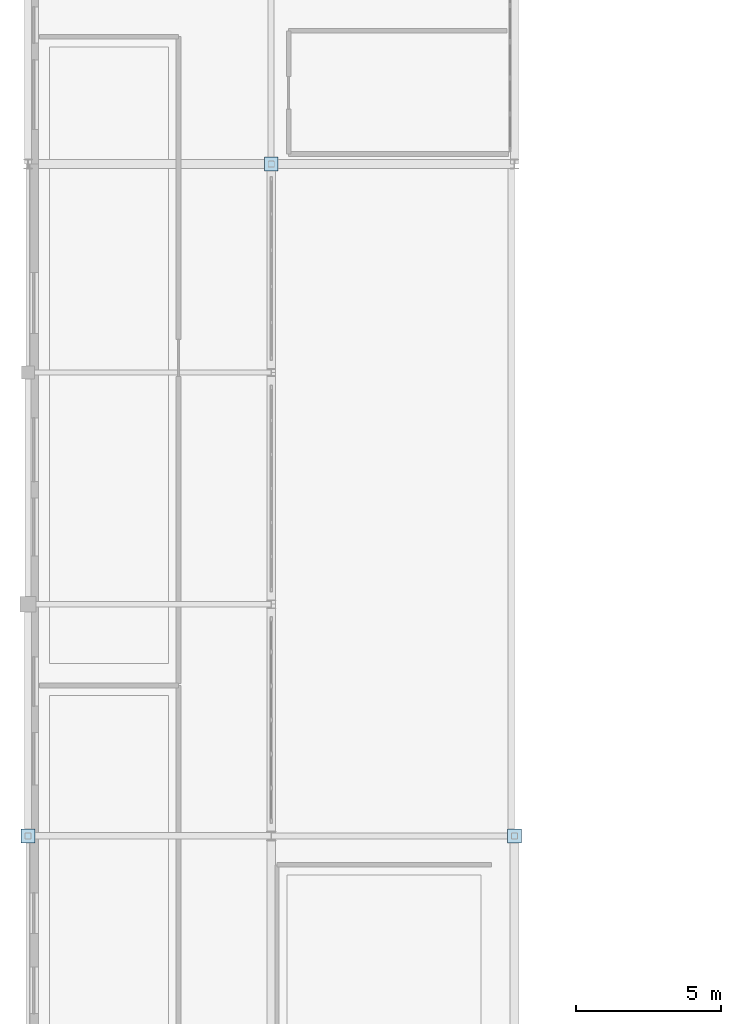
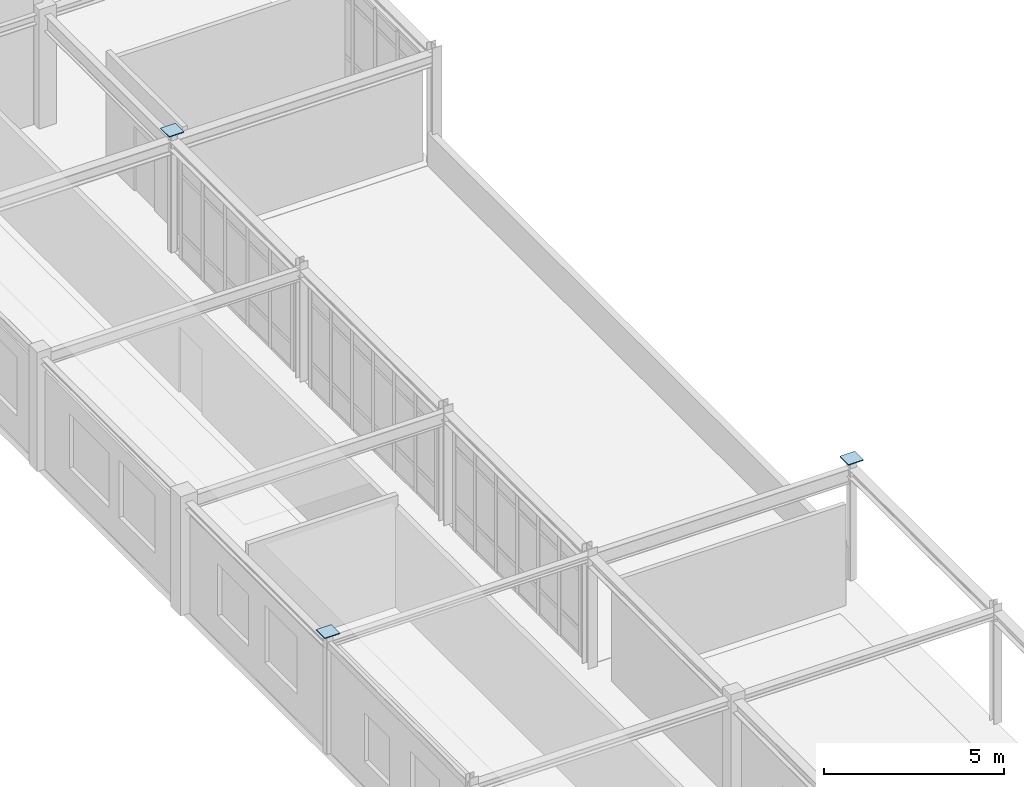
# One storey, part 37 of 58: 3 plates.
"""IFC4 building model written with IfcOpenShell, lengths in metres."""

from ifc_helpers import new_model, si_unit, derived_unit, direction, frame, origin, origin_2d, place, context, subcontext, project, spatial, rectangle, extrude, material, layer, layer_set, type_object, element, save


model = new_model("IFC4")

# Units and contexts
model_context = context("Model", 3, precision=1e-05, world=origin(), true_north=direction((0.0, 1.0)))
body_context = subcontext(model_context, "Body", "Model", "MODEL_VIEW")
ifc_project = project(units=[si_unit("LENGTHUNIT", "METRE"), si_unit("AREAUNIT", "SQUARE_METRE"), si_unit("VOLUMEUNIT", "CUBIC_METRE"), si_unit("PLANEANGLEUNIT", "RADIAN"), si_unit("MASSUNIT", "GRAM", prefix="KILO"), derived_unit("THERMALTRANSMITTANCEUNIT", [(si_unit("POWERUNIT", "WATT"), 1), (si_unit("AREAUNIT", "SQUARE_METRE"), -1), (si_unit("THERMODYNAMICTEMPERATUREUNIT", "KELVIN"), -1)])], contexts=[model_context])

# Site, building, storey
site_placement = place(None, origin())
site = spatial("IfcSite", under=ifc_project, at=site_placement, CompositionType="ELEMENT")
building_placement = place(site_placement, origin())
building = spatial("IfcBuilding", under=site, at=building_placement, Name="Yasenodar Specialist Clinic", CompositionType="ELEMENT")
storey_placement = place(building_placement, frame((0.0, 0.0, 21.300048828125)))
storey = spatial("IfcBuildingStorey", under=building, at=storey_placement, Name="L05", CompositionType="ELEMENT", Elevation=21.300048828125)

# Plates
ifc_material = material(Name="Steel S355", Category="steel")
ifc_layer = layer(ifc_material, 0.028076171875)
ifc_layer_set = layer_set([ifc_layer], Name="Steel S355")
plate_type = type_object("IfcPlateType", Name="PL-STEEL-06", PredefinedType="USERDEFINED", material=ifc_layer_set)
for number, where, z_axis, x_axis, name in (
    (1, (0.0, 66.800048828125, 4.0498046875), (0.0, 0.0, 1.0), (1.0, 0.0, 0.0), "L05 Hollow Column Top Cap Plate 001"),
    (2, (8.39990234375, 90.0, 4.0498046875), (0.0, 0.0, 1.0), (1.0, 0.0, 0.0), "L05 Hollow Column Top Cap Plate 004"),
    (3, (16.800048828125, 66.800048828125, 4.0498046875), (0.0, 0.0, 1.0), (1.0, 0.0, 0.0), "L05 Hollow Column Top Cap Plate 005"),
):
    element("IfcPlate", number, at=place(storey_placement, frame(where, z_axis=z_axis, x_axis=x_axis)), inside=storey, type_object=plate_type, Name=name, ObjectType="CAP_PLATE", PredefinedType="USERDEFINED", context=body_context, shape_type="SweptSolid", body=[
        extrude(rectangle(XDim=0.47998046875, YDim=0.47998046875, at=origin_2d()), origin(), (0.0, 0.0, 1.0), 0.028076171875),
    ])

save(model, "model.ifc")
